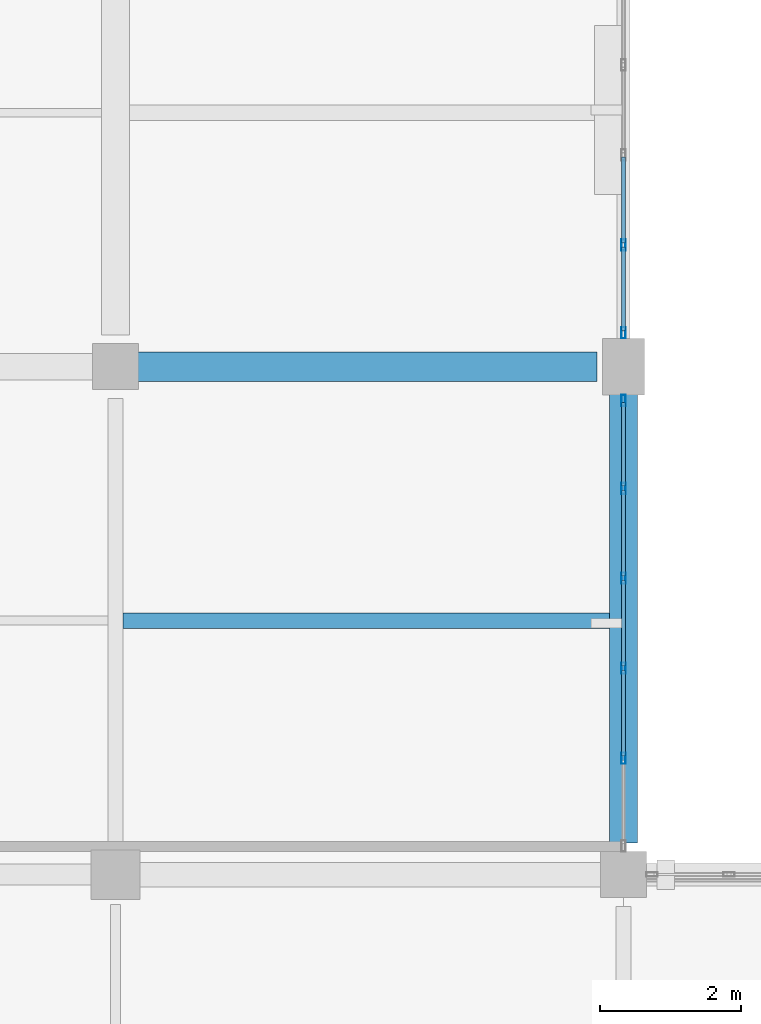
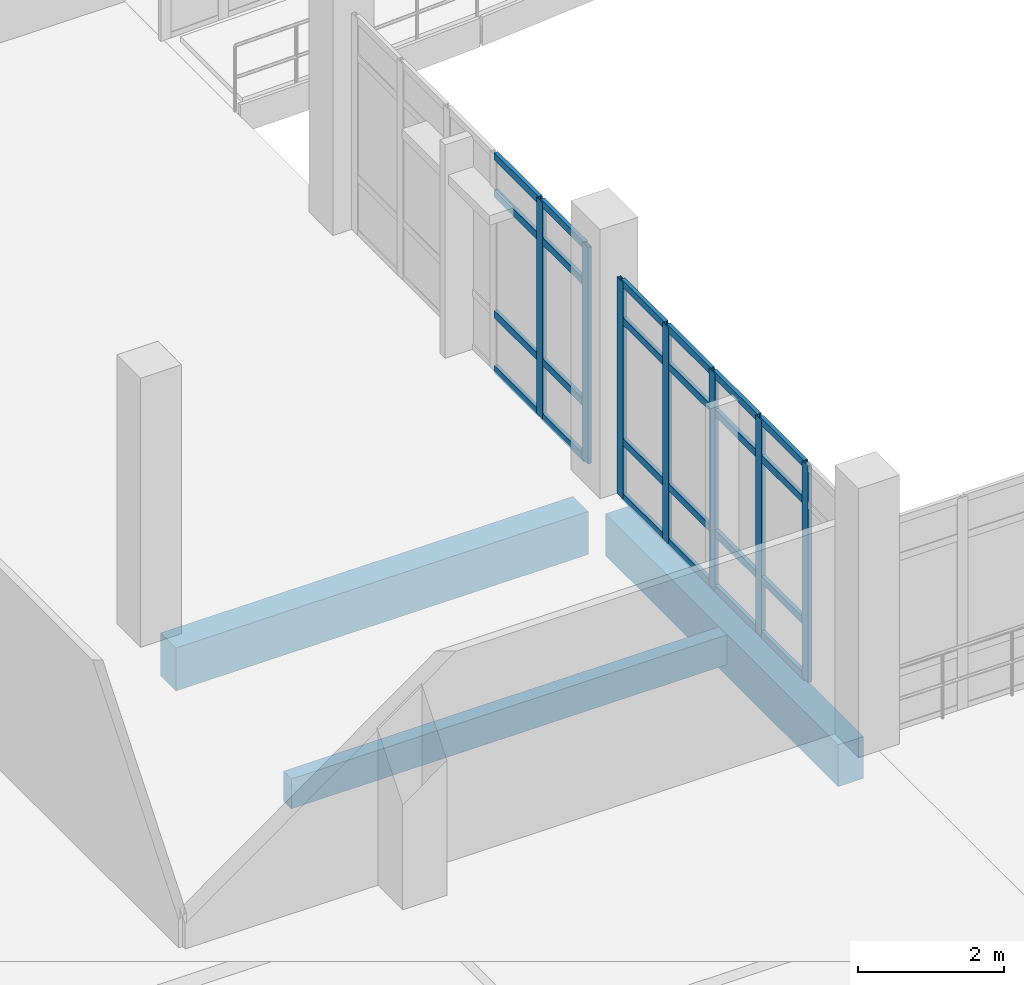
# One storey, part 18 of 124: 31 members, 3 beams, 2 elements without a shape of their own.
"""IFC4 building model written with IfcOpenShell, lengths in metres."""

import ifcopenshell
import ifcopenshell.guid

model = None  # the IFC model being written
_history = None  # IfcOwnerHistory: only IFC2X3 demands one
_inside = {}  # id of a spatial element -> (the spatial element, [elements in it])
_under = {}  # id of a project, library or spatial element -> (it, [spatial elements below it])
_declared = {}  # id of a project -> (the project, [libraries it declares])
_typed = {}  # id of a type object -> (the type object, [elements of that type])
_made_of = {}  # id of a material, layer set ... -> (it, [elements and type objects made of it])


def new_model(schema):
    """Start an empty IFC model of exactly this schema.

    Asked for "IFC4X3", IfcOpenShell would pick the latest addendum, in which some entities
    have other attributes; the version numbers below select the first issue.
    IFC2X3 requires an IfcOwnerHistory on every rooted entity: one is made here for all.
    """
    global model, _history
    if schema == "IFC4X3":
        model = ifcopenshell.file(schema_version=(4, 3, 0, 0))
    else:
        model = ifcopenshell.file(schema=schema)
    _inside.clear()
    _under.clear()
    _declared.clear()
    _typed.clear()
    _made_of.clear()
    _history = None
    if model.schema == "IFC2X3":
        org = make("IfcOrganization", Name="unknown")
        user = make(
            "IfcPersonAndOrganization",
            ThePerson=make("IfcPerson", FamilyName="unknown"),
            TheOrganization=org,
        )
        app = make(
            "IfcApplication",
            ApplicationDeveloper=org,
            Version="unknown",
            ApplicationFullName="unknown",
            ApplicationIdentifier="unknown",
        )
        _history = make(
            "IfcOwnerHistory",
            OwningUser=user,
            OwningApplication=app,
            ChangeAction="ADDED",
            CreationDate=0,
        )
    return model


def make(cls, **values):
    """One entity of the class cls with the attributes given. An attribute that is None is left unset."""
    return model.create_entity(
        cls, **{name: value for name, value in values.items() if value is not None}
    )


def rooted(cls, **values):
    """An entity with a GlobalId (a new one), such as an element, a storey or a relation."""
    return make(cls, GlobalId=ifcopenshell.guid.new(), OwnerHistory=_history, **values)


def si_unit(unit_type, name, prefix=None):
    """IfcSIUnit, for example si_unit("LENGTHUNIT", "METRE", prefix="MILLI")."""
    return make("IfcSIUnit", UnitType=unit_type, Prefix=prefix, Name=name)


def assignment(units):
    """IfcUnitAssignment: the units of a project."""
    return None if units is None else make("IfcUnitAssignment", Units=units)


def point(xyz):
    """IfcCartesianPoint."""
    return None if xyz is None else make("IfcCartesianPoint", Coordinates=xyz)


def direction(xyz):
    """IfcDirection."""
    return None if xyz is None else make("IfcDirection", DirectionRatios=xyz)


def frame(location, z_axis=None, x_axis=None):
    """IfcAxis2Placement3D, a coordinate frame: its origin and axes. An axis left out is left unset."""
    return make(
        "IfcAxis2Placement3D",
        Location=point(location),
        Axis=direction(z_axis),
        RefDirection=direction(x_axis),
    )


def frame_2d(location, x_axis=None):
    """IfcAxis2Placement2D, a coordinate frame in the plane: its origin and x axis."""
    return make(
        "IfcAxis2Placement2D", Location=point(location), RefDirection=direction(x_axis)
    )


def origin():
    """The frame at (0, 0, 0) with its axes left unset."""
    return frame((0.0, 0.0, 0.0))


def origin_2d():
    """The frame at (0, 0) in the plane with its x axis left unset."""
    return frame_2d((0.0, 0.0))


def place(relative_to, where):
    """IfcLocalPlacement: puts the frame where relative to a parent placement (None: the world)."""
    return make(
        "IfcLocalPlacement", PlacementRelTo=relative_to, RelativePlacement=where
    )


def context(
    kind, dimensions, precision=None, world=None, true_north=None, identifier=None
):
    """IfcGeometricRepresentationContext, for example the 3D "Model" context."""
    return make(
        "IfcGeometricRepresentationContext",
        ContextIdentifier=identifier,
        ContextType=kind,
        CoordinateSpaceDimension=dimensions,
        Precision=precision,
        WorldCoordinateSystem=world,
        TrueNorth=true_north,
    )


def subcontext(parent, identifier, kind, view, scale=None):
    """IfcGeometricRepresentationSubContext, for example "Body" below "Model"."""
    return make(
        "IfcGeometricRepresentationSubContext",
        ContextIdentifier=identifier,
        ContextType=kind,
        ParentContext=parent,
        TargetScale=scale,
        TargetView=view,
    )


def project(units=None, contexts=None):
    """IfcProject with its units and contexts."""
    return rooted(
        "IfcProject",
        Name="project",
        RepresentationContexts=contexts,
        UnitsInContext=assignment(units),
    )


def spatial(cls, under=None, at=None, **own):
    """A site, building, storey or space (cls), placed at a placement, below another one or the project."""
    s = rooted(cls, ObjectPlacement=at, **own)
    if under is not None:
        _under.setdefault(under.id(), (under, []))[1].append(s)
    return s


def profile(cls, at=None, kind="AREA", **sizes):
    """A parametric profile (cls). Its sizes go by their IFC names, for example OverallWidth=200.0."""
    return make(cls, ProfileType=kind, Position=at, **sizes)


def rectangle(**sizes):
    """IfcRectangleProfileDef."""
    return profile("IfcRectangleProfileDef", **sizes)


def hollow_rectangle(**sizes):
    """IfcRectangleHollowProfileDef."""
    return profile("IfcRectangleHollowProfileDef", **sizes)


def extrude(swept, where, along, depth):
    """IfcExtrudedAreaSolid: the profile swept, set in the frame where, extruded along a direction by depth."""
    return make(
        "IfcExtrudedAreaSolid",
        SweptArea=swept,
        Position=where,
        ExtrudedDirection=direction(along),
        Depth=depth,
    )


def shape(context_of_items, identifier, shape_type, items):
    """IfcShapeRepresentation: the items that make up one representation, for example the "Body"."""
    return make(
        "IfcShapeRepresentation",
        ContextOfItems=context_of_items,
        RepresentationIdentifier=identifier,
        RepresentationType=shape_type,
        Items=items,
    )


def material(Name=None, Category=None):
    """IfcMaterial."""
    return make("IfcMaterial", Name=Name, Category=Category)


def material_profile(
    of_material, cross_section, Name=None, Category=None, Priority=None
):
    """IfcMaterialProfile: a cross section and its material."""
    return make(
        "IfcMaterialProfile",
        Name=Name,
        Material=of_material,
        Profile=cross_section,
        Priority=Priority,
        Category=Category,
    )


def profile_set(profiles, Name=None, composite=None):
    """IfcMaterialProfileSet."""
    return make(
        "IfcMaterialProfileSet",
        Name=Name,
        MaterialProfiles=profiles,
        CompositeProfile=composite,
    )


def made_of(thing, what):
    """Note that an element or type object is made of a material, layer set ...; save() writes the relation."""
    if what is not None:
        _made_of.setdefault(what.id(), (what, []))[1].append(thing)
    return thing


def type_object(cls, material=None, **own):
    """A type object (cls), such as IfcWallType, which elements share."""
    return made_of(rooted(cls, **own), material)


def element(
    cls,
    number,
    at=None,
    inside=None,
    cuts=None,
    type_object=None,
    material=None,
    context=None,
    identifier="Body",
    shape_type=None,
    held_by="IfcProductDefinitionShape",
    body=None,
    shapes=None,
    **own,
):
    """One element of the class cls, such as IfcWall. Its Tag is "e" and its number.

    at: its placement. inside: the storey or other place that contains it. cuts: it is an
    opening in that element (IfcRelVoidsElement). A single representation is given by context,
    identifier, shape_type and body (its items); several are given by shapes. held_by: the class
    of the entity that holds the representations. save() writes the other relations.
    """
    e = rooted(cls, Tag="e%d" % number, ObjectPlacement=at, **own)
    if body is not None:
        shapes = [shape(context, identifier, shape_type, body)]
    if shapes is not None:
        e.Representation = make(held_by, Representations=shapes)
    if inside is not None:
        _inside.setdefault(inside.id(), (inside, []))[1].append(e)
    if cuts is not None:
        rooted(
            "IfcRelVoidsElement", RelatingBuildingElement=cuts, RelatedOpeningElement=e
        )
    if type_object is not None:
        _typed.setdefault(type_object.id(), (type_object, []))[1].append(e)
    return made_of(e, material)


def aggregate(whole, parts):
    """IfcRelAggregates: a whole, such as a stair, and the parts it consists of."""
    return rooted("IfcRelAggregates", RelatingObject=whole, RelatedObjects=parts)


def save(model, path):
    """Write the relations noted so far, then the file.

    IfcRelAggregates (storeys below a building ...), IfcRelContainedInSpatialStructure (elements
    in a storey), IfcRelDefinesByType, IfcRelAssociatesMaterial and IfcRelDeclares: one each for
    every whole, place, type object, material and project.
    """
    for whole, parts in _under.values():
        aggregate(whole, parts)
    for where, things in _inside.values():
        rooted(
            "IfcRelContainedInSpatialStructure",
            RelatedElements=things,
            RelatingStructure=where,
        )
    for kind, things in _typed.values():
        rooted("IfcRelDefinesByType", RelatedObjects=things, RelatingType=kind)
    for what, things in _made_of.values():
        rooted("IfcRelAssociatesMaterial", RelatedObjects=things, RelatingMaterial=what)
    for by, libraries in _declared.values():
        rooted("IfcRelDeclares", RelatingContext=by, RelatedDefinitions=libraries)
    model.write(path)


model = new_model("IFC4")

# Units and contexts
model_context = context("Model", 3, precision=1e-05, world=origin(), true_north=direction((0.0, 1.0)))
body_context = subcontext(model_context, "Body", "Model", "MODEL_VIEW")
ifc_project = project(units=[si_unit("LENGTHUNIT", "METRE"), si_unit("AREAUNIT", "SQUARE_METRE"), si_unit("VOLUMEUNIT", "CUBIC_METRE"), si_unit("PLANEANGLEUNIT", "RADIAN"), si_unit("MASSUNIT", "GRAM", prefix="KILO")], contexts=[model_context])

# Site, building, storey
site_placement = place(None, origin())
site = spatial("IfcSite", under=ifc_project, at=site_placement, CompositionType="ELEMENT")
building_placement = place(site_placement, origin())
building = spatial("IfcBuilding", under=site, at=building_placement, Name="Kalluvel Institute of Natural Sciences", CompositionType="ELEMENT")
storey_placement = place(building_placement, frame((0.0, 0.0, 9.89990234375)))
storey = spatial("IfcBuildingStorey", under=building, at=storey_placement, Name="L02", CompositionType="ELEMENT", Elevation=9.89990234375)

# Beams
ifc_material_1 = material(Name="Concrete M40", Category="concrete")
ifc_material_profile_1 = material_profile(ifc_material_1, rectangle(XDim=0.39990234375, YDim=0.699951171875, at=origin_2d()), Name="RCB 400x700")
ifc_profile_set_1 = profile_set([ifc_material_profile_1], Name="Concrete M40")
beam_type_1 = type_object("IfcBeamType", Name="BM-RC400x700", PredefinedType="BEAM", material=ifc_profile_set_1)
beam_1_placement = place(storey_placement, frame((35.60009765625, 36.050048828125, -0.64990234375), z_axis=(0.0, 1.0, 0.0), x_axis=(-1.0, 0.0, 0.0)))
element("IfcBeam", 1, at=beam_1_placement, inside=storey, type_object=beam_type_1, Name="L02 girder GIR-L02-NS-X356-Y356", PredefinedType="BEAM", context=body_context, shape_type="SweptSolid", body=[
    extrude(rectangle(XDim=0.39990234375, YDim=0.699951171875, at=origin_2d()), origin(), (0.0, 0.0, 1.0), 6.375),
])
ifc_material_profile_2 = material_profile(ifc_material_1, rectangle(XDim=0.419921875, YDim=0.719970703125, at=origin_2d()), Name="RCB 420x720")
ifc_profile_set_2 = profile_set([ifc_material_profile_2], Name="Concrete M40")
beam_type_2 = type_object("IfcBeamType", Name="BM-RC420x720", PredefinedType="BEAM", material=ifc_profile_set_2)
beam_2_placement = place(storey_placement, frame((28.699951171875, 42.800048828125, -0.659912109375), z_axis=(1.0, 0.0, 0.0), x_axis=(0.0, 1.0, 0.0)))
element("IfcBeam", 2, at=beam_2_placement, inside=storey, type_object=beam_type_2, Name="L02 girder GIR-L02-EW-X284-Y428", PredefinedType="BEAM", context=body_context, shape_type="SweptSolid", body=[
    extrude(rectangle(XDim=0.419921875, YDim=0.719970703125, at=origin_2d()), origin(), (0.0, 0.0, 1.0), 6.525146484375),
])

# Curtain wall, members
ifc_material_2 = material(Name="Aluminium AW-6063 T6", Category="aluminium")
curtain_wall_type = type_object("IfcCurtainWallType", Name="CW-DRY-45", PredefinedType="USERDEFINED", material=ifc_material_2)
curtain_wall_1_placement = place(storey_placement, origin())
curtain_wall_1 = element("IfcCurtainWall", 3, at=curtain_wall_1_placement, inside=storey, type_object=curtain_wall_type, Name="L02 Gothic lancet curtain wall CWA-L02-X356-Y360", ObjectType="UNITISED LANCET FACADE", PredefinedType="USERDEFINED")
ifc_material_profile_3 = material_profile(ifc_material_2, hollow_rectangle(XDim=0.06005859375, YDim=0.159912109375, WallThickness=0.00390625, at=origin_2d()), Name="CWM 60x160")
ifc_profile_set_3 = profile_set([ifc_material_profile_3], Name="Aluminium AW-6063 T6")
member_type_1 = type_object("IfcMemberType", Name="CWM-60x160", PredefinedType="MULLION", material=ifc_profile_set_3)
member_1_placement = place(storey_placement, frame((35.60009765625, 37.25, 0.0), z_axis=(0.0, 0.0, 1.0), x_axis=(-1.0, 0.0, 0.0)))
member_1 = element("IfcMember", 4, at=member_1_placement, type_object=member_type_1, Name="CW-03 mullion 2", PredefinedType="MULLION", context=body_context, shape_type="SweptSolid", body=[
    extrude(hollow_rectangle(XDim=0.06005859375, YDim=0.159912109375, WallThickness=0.00390625, at=origin_2d()), origin(), (0.0, 0.0, 1.0), 3.6201171875),
])
member_2_placement = place(storey_placement, frame((35.60009765625, 38.52490234375, 0.0), z_axis=(0.0, 0.0, 1.0), x_axis=(-1.0, 0.0, 0.0)))
member_2 = element("IfcMember", 5, at=member_2_placement, type_object=member_type_1, Name="CW-03 mullion 3", PredefinedType="MULLION", context=body_context, shape_type="SweptSolid", body=[
    extrude(hollow_rectangle(XDim=0.06005859375, YDim=0.159912109375, WallThickness=0.00390625, at=origin_2d()), origin(), (0.0, 0.0, 1.0), 3.6201171875),
])
member_3_placement = place(storey_placement, frame((35.60009765625, 39.800048828125, 0.0), z_axis=(0.0, 0.0, 1.0), x_axis=(-1.0, 0.0, 0.0)))
member_3 = element("IfcMember", 6, at=member_3_placement, type_object=member_type_1, Name="CW-03 mullion 4", PredefinedType="MULLION", context=body_context, shape_type="SweptSolid", body=[
    extrude(hollow_rectangle(XDim=0.06005859375, YDim=0.159912109375, WallThickness=0.00390625, at=origin_2d()), origin(), (0.0, 0.0, 1.0), 3.6201171875),
])
member_4_placement = place(storey_placement, frame((35.60009765625, 41.074951171875, 0.0), z_axis=(0.0, 0.0, 1.0), x_axis=(-1.0, 0.0, 0.0)))
member_4 = element("IfcMember", 7, at=member_4_placement, type_object=member_type_1, Name="CW-03 mullion 5", PredefinedType="MULLION", context=body_context, shape_type="SweptSolid", body=[
    extrude(hollow_rectangle(XDim=0.06005859375, YDim=0.159912109375, WallThickness=0.00390625, at=origin_2d()), origin(), (0.0, 0.0, 1.0), 3.6201171875),
])
member_5_placement = place(storey_placement, frame((35.60009765625, 42.320068359375, 0.0), z_axis=(0.0, 0.0, 1.0), x_axis=(-1.0, 0.0, 0.0)))
member_5 = element("IfcMember", 8, at=member_5_placement, type_object=member_type_1, Name="CW-03 mullion 6", PredefinedType="MULLION", context=body_context, shape_type="SweptSolid", body=[
    extrude(hollow_rectangle(XDim=0.06005859375, YDim=0.159912109375, WallThickness=0.00390625, at=origin_2d()), origin(), (0.0, 0.0, 1.0), 3.6201171875),
])

curtain_wall_2_placement = place(storey_placement, origin())
curtain_wall_2 = element("IfcCurtainWall", 9, at=curtain_wall_2_placement, inside=storey, type_object=curtain_wall_type, Name="L02 Gothic lancet curtain wall CWA-L02-X356-Y432", ObjectType="UNITISED LANCET FACADE", PredefinedType="USERDEFINED")
member_6_placement = place(storey_placement, frame((35.60009765625, 43.280029296875, 0.0), z_axis=(0.0, 0.0, 1.0), x_axis=(-1.0, 0.0, 0.0)))
member_6 = element("IfcMember", 10, at=member_6_placement, type_object=member_type_1, Name="CW-03 mullion 1", PredefinedType="MULLION", context=body_context, shape_type="SweptSolid", body=[
    extrude(hollow_rectangle(XDim=0.06005859375, YDim=0.159912109375, WallThickness=0.00390625, at=origin_2d()), origin(), (0.0, 0.0, 1.0), 3.6201171875),
])
member_7_placement = place(storey_placement, frame((35.60009765625, 44.52490234375, 0.0), z_axis=(0.0, 0.0, 1.0), x_axis=(-1.0, 0.0, 0.0)))
member_7 = element("IfcMember", 11, at=member_7_placement, type_object=member_type_1, Name="CW-03 mullion 2", PredefinedType="MULLION", context=body_context, shape_type="SweptSolid", body=[
    extrude(hollow_rectangle(XDim=0.06005859375, YDim=0.159912109375, WallThickness=0.00390625, at=origin_2d()), origin(), (0.0, 0.0, 1.0), 3.6201171875),
])

# Member
ifc_material_profile_4 = material_profile(ifc_material_2, hollow_rectangle(XDim=0.06005859375, YDim=0.1201171875, WallThickness=0.00390625, at=origin_2d()), Name="CWT 60x120")
ifc_profile_set_4 = profile_set([ifc_material_profile_4], Name="Aluminium AW-6063 T6")
member_type_2 = type_object("IfcMemberType", Name="CWT-60x120", PredefinedType="USERDEFINED", material=ifc_profile_set_4)
member_8_placement = place(storey_placement, frame((35.60009765625, 37.280029296875, 0.030029296875), z_axis=(0.0, 1.0, 0.0), x_axis=(-1.0, 0.0, 0.0)))
member_8 = element("IfcMember", 12, at=member_8_placement, type_object=member_type_2, Name="CW-03 transom 2.1", ObjectType="TRANSOM", PredefinedType="USERDEFINED", context=body_context, shape_type="SweptSolid", body=[
    extrude(hollow_rectangle(XDim=0.06005859375, YDim=0.1201171875, WallThickness=0.00390625, at=origin_2d()), origin(), (0.0, 0.0, 1.0), 1.215087890625),
])

member_9_placement = place(storey_placement, frame((35.60009765625, 37.280029296875, 0.9501953125), z_axis=(0.0, 1.0, 0.0), x_axis=(-1.0, 0.0, 0.0)))
member_9 = element("IfcMember", 13, at=member_9_placement, type_object=member_type_2, Name="CW-03 transom 2.2", ObjectType="TRANSOM", PredefinedType="USERDEFINED", context=body_context, shape_type="SweptSolid", body=[
    extrude(hollow_rectangle(XDim=0.06005859375, YDim=0.1201171875, WallThickness=0.00390625, at=origin_2d()), origin(), (0.0, 0.0, 1.0), 1.215087890625),
])

member_10_placement = place(storey_placement, frame((35.60009765625, 37.280029296875, 2.97021484375), z_axis=(0.0, 1.0, 0.0), x_axis=(-1.0, 0.0, 0.0)))
member_10 = element("IfcMember", 14, at=member_10_placement, type_object=member_type_2, Name="CW-03 transom 2.3", ObjectType="TRANSOM", PredefinedType="USERDEFINED", context=body_context, shape_type="SweptSolid", body=[
    extrude(hollow_rectangle(XDim=0.06005859375, YDim=0.1201171875, WallThickness=0.00390625, at=origin_2d()), origin(), (0.0, 0.0, 1.0), 1.215087890625),
])

member_11_placement = place(storey_placement, frame((35.60009765625, 37.280029296875, 3.590087890625), z_axis=(0.0, 1.0, 0.0), x_axis=(-1.0, 0.0, 0.0)))
member_11 = element("IfcMember", 15, at=member_11_placement, type_object=member_type_2, Name="CW-03 transom 2.4", ObjectType="TRANSOM", PredefinedType="USERDEFINED", context=body_context, shape_type="SweptSolid", body=[
    extrude(hollow_rectangle(XDim=0.06005859375, YDim=0.1201171875, WallThickness=0.00390625, at=origin_2d()), origin(), (0.0, 0.0, 1.0), 1.215087890625),
])

member_12_placement = place(storey_placement, frame((35.60009765625, 38.554931640625, 0.030029296875), z_axis=(0.0, 1.0, 0.0), x_axis=(-1.0, 0.0, 0.0)))
member_12 = element("IfcMember", 16, at=member_12_placement, type_object=member_type_2, Name="CW-03 transom 3.1", ObjectType="TRANSOM", PredefinedType="USERDEFINED", context=body_context, shape_type="SweptSolid", body=[
    extrude(hollow_rectangle(XDim=0.06005859375, YDim=0.1201171875, WallThickness=0.00390625, at=origin_2d()), origin(), (0.0, 0.0, 1.0), 1.215087890625),
])

member_13_placement = place(storey_placement, frame((35.60009765625, 38.554931640625, 0.9501953125), z_axis=(0.0, 1.0, 0.0), x_axis=(-1.0, 0.0, 0.0)))
member_13 = element("IfcMember", 17, at=member_13_placement, type_object=member_type_2, Name="CW-03 transom 3.2", ObjectType="TRANSOM", PredefinedType="USERDEFINED", context=body_context, shape_type="SweptSolid", body=[
    extrude(hollow_rectangle(XDim=0.06005859375, YDim=0.1201171875, WallThickness=0.00390625, at=origin_2d()), origin(), (0.0, 0.0, 1.0), 1.215087890625),
])

member_14_placement = place(storey_placement, frame((35.60009765625, 38.554931640625, 2.97021484375), z_axis=(0.0, 1.0, 0.0), x_axis=(-1.0, 0.0, 0.0)))
member_14 = element("IfcMember", 18, at=member_14_placement, type_object=member_type_2, Name="CW-03 transom 3.3", ObjectType="TRANSOM", PredefinedType="USERDEFINED", context=body_context, shape_type="SweptSolid", body=[
    extrude(hollow_rectangle(XDim=0.06005859375, YDim=0.1201171875, WallThickness=0.00390625, at=origin_2d()), origin(), (0.0, 0.0, 1.0), 1.215087890625),
])

member_15_placement = place(storey_placement, frame((35.60009765625, 38.554931640625, 3.590087890625), z_axis=(0.0, 1.0, 0.0), x_axis=(-1.0, 0.0, 0.0)))
member_15 = element("IfcMember", 19, at=member_15_placement, type_object=member_type_2, Name="CW-03 transom 3.4", ObjectType="TRANSOM", PredefinedType="USERDEFINED", context=body_context, shape_type="SweptSolid", body=[
    extrude(hollow_rectangle(XDim=0.06005859375, YDim=0.1201171875, WallThickness=0.00390625, at=origin_2d()), origin(), (0.0, 0.0, 1.0), 1.215087890625),
])

member_16_placement = place(storey_placement, frame((35.60009765625, 39.830078125, 0.030029296875), z_axis=(0.0, 1.0, 0.0), x_axis=(-1.0, 0.0, 0.0)))
member_16 = element("IfcMember", 20, at=member_16_placement, type_object=member_type_2, Name="CW-03 transom 4.1", ObjectType="TRANSOM", PredefinedType="USERDEFINED", context=body_context, shape_type="SweptSolid", body=[
    extrude(hollow_rectangle(XDim=0.06005859375, YDim=0.1201171875, WallThickness=0.00390625, at=origin_2d()), origin(), (0.0, 0.0, 1.0), 1.21484375),
])

member_17_placement = place(storey_placement, frame((35.60009765625, 39.830078125, 0.9501953125), z_axis=(0.0, 1.0, 0.0), x_axis=(-1.0, 0.0, 0.0)))
member_17 = element("IfcMember", 21, at=member_17_placement, type_object=member_type_2, Name="CW-03 transom 4.2", ObjectType="TRANSOM", PredefinedType="USERDEFINED", context=body_context, shape_type="SweptSolid", body=[
    extrude(hollow_rectangle(XDim=0.06005859375, YDim=0.1201171875, WallThickness=0.00390625, at=origin_2d()), origin(), (0.0, 0.0, 1.0), 1.21484375),
])

member_18_placement = place(storey_placement, frame((35.60009765625, 39.830078125, 2.97021484375), z_axis=(0.0, 1.0, 0.0), x_axis=(-1.0, 0.0, 0.0)))
member_18 = element("IfcMember", 22, at=member_18_placement, type_object=member_type_2, Name="CW-03 transom 4.3", ObjectType="TRANSOM", PredefinedType="USERDEFINED", context=body_context, shape_type="SweptSolid", body=[
    extrude(hollow_rectangle(XDim=0.06005859375, YDim=0.1201171875, WallThickness=0.00390625, at=origin_2d()), origin(), (0.0, 0.0, 1.0), 1.21484375),
])

member_19_placement = place(storey_placement, frame((35.60009765625, 39.830078125, 3.590087890625), z_axis=(0.0, 1.0, 0.0), x_axis=(-1.0, 0.0, 0.0)))
member_19 = element("IfcMember", 23, at=member_19_placement, type_object=member_type_2, Name="CW-03 transom 4.4", ObjectType="TRANSOM", PredefinedType="USERDEFINED", context=body_context, shape_type="SweptSolid", body=[
    extrude(hollow_rectangle(XDim=0.06005859375, YDim=0.1201171875, WallThickness=0.00390625, at=origin_2d()), origin(), (0.0, 0.0, 1.0), 1.21484375),
])

member_20_placement = place(storey_placement, frame((35.60009765625, 41.10498046875, 0.030029296875), z_axis=(0.0, 1.0, 0.0), x_axis=(-1.0, 0.0, 0.0)))
member_20 = element("IfcMember", 24, at=member_20_placement, type_object=member_type_2, Name="CW-03 transom 5.1", ObjectType="TRANSOM", PredefinedType="USERDEFINED", context=body_context, shape_type="SweptSolid", body=[
    extrude(hollow_rectangle(XDim=0.06005859375, YDim=0.1201171875, WallThickness=0.00390625, at=origin_2d()), origin(), (0.0, 0.0, 1.0), 1.18505859375),
])

member_21_placement = place(storey_placement, frame((35.60009765625, 41.10498046875, 0.9501953125), z_axis=(0.0, 1.0, 0.0), x_axis=(-1.0, 0.0, 0.0)))
member_21 = element("IfcMember", 25, at=member_21_placement, type_object=member_type_2, Name="CW-03 transom 5.2", ObjectType="TRANSOM", PredefinedType="USERDEFINED", context=body_context, shape_type="SweptSolid", body=[
    extrude(hollow_rectangle(XDim=0.06005859375, YDim=0.1201171875, WallThickness=0.00390625, at=origin_2d()), origin(), (0.0, 0.0, 1.0), 1.18505859375),
])

member_22_placement = place(storey_placement, frame((35.60009765625, 41.10498046875, 2.97021484375), z_axis=(0.0, 1.0, 0.0), x_axis=(-1.0, 0.0, 0.0)))
member_22 = element("IfcMember", 26, at=member_22_placement, type_object=member_type_2, Name="CW-03 transom 5.3", ObjectType="TRANSOM", PredefinedType="USERDEFINED", context=body_context, shape_type="SweptSolid", body=[
    extrude(hollow_rectangle(XDim=0.06005859375, YDim=0.1201171875, WallThickness=0.00390625, at=origin_2d()), origin(), (0.0, 0.0, 1.0), 1.18505859375),
])

member_23_placement = place(storey_placement, frame((35.60009765625, 41.10498046875, 3.590087890625), z_axis=(0.0, 1.0, 0.0), x_axis=(-1.0, 0.0, 0.0)))
member_23 = element("IfcMember", 27, at=member_23_placement, type_object=member_type_2, Name="CW-03 transom 5.4", ObjectType="TRANSOM", PredefinedType="USERDEFINED", context=body_context, shape_type="SweptSolid", body=[
    extrude(hollow_rectangle(XDim=0.06005859375, YDim=0.1201171875, WallThickness=0.00390625, at=origin_2d()), origin(), (0.0, 0.0, 1.0), 1.18505859375),
])

aggregate(curtain_wall_1, [member_1, member_2, member_3, member_4, member_5, member_8, member_9, member_10, member_11, member_12, member_13, member_14, member_15, member_16, member_17, member_18, member_19, member_20, member_21, member_22, member_23])

member_24_placement = place(storey_placement, frame((35.60009765625, 43.31005859375, 0.030029296875), z_axis=(0.0, 1.0, 0.0), x_axis=(-1.0, 0.0, 0.0)))
member_24 = element("IfcMember", 28, at=member_24_placement, type_object=member_type_2, Name="CW-03 transom 1.1", ObjectType="TRANSOM", PredefinedType="USERDEFINED", context=body_context, shape_type="SweptSolid", body=[
    extrude(hollow_rectangle(XDim=0.06005859375, YDim=0.1201171875, WallThickness=0.00390625, at=origin_2d()), origin(), (0.0, 0.0, 1.0), 1.18505859375),
])

member_25_placement = place(storey_placement, frame((35.60009765625, 43.31005859375, 0.9501953125), z_axis=(0.0, 1.0, 0.0), x_axis=(-1.0, 0.0, 0.0)))
member_25 = element("IfcMember", 29, at=member_25_placement, type_object=member_type_2, Name="CW-03 transom 1.2", ObjectType="TRANSOM", PredefinedType="USERDEFINED", context=body_context, shape_type="SweptSolid", body=[
    extrude(hollow_rectangle(XDim=0.06005859375, YDim=0.1201171875, WallThickness=0.00390625, at=origin_2d()), origin(), (0.0, 0.0, 1.0), 1.18505859375),
])

member_26_placement = place(storey_placement, frame((35.60009765625, 43.31005859375, 2.97021484375), z_axis=(0.0, 1.0, 0.0), x_axis=(-1.0, 0.0, 0.0)))
member_26 = element("IfcMember", 30, at=member_26_placement, type_object=member_type_2, Name="CW-03 transom 1.3", ObjectType="TRANSOM", PredefinedType="USERDEFINED", context=body_context, shape_type="SweptSolid", body=[
    extrude(hollow_rectangle(XDim=0.06005859375, YDim=0.1201171875, WallThickness=0.00390625, at=origin_2d()), origin(), (0.0, 0.0, 1.0), 1.18505859375),
])

member_27_placement = place(storey_placement, frame((35.60009765625, 43.31005859375, 3.590087890625), z_axis=(0.0, 1.0, 0.0), x_axis=(-1.0, 0.0, 0.0)))
member_27 = element("IfcMember", 31, at=member_27_placement, type_object=member_type_2, Name="CW-03 transom 1.4", ObjectType="TRANSOM", PredefinedType="USERDEFINED", context=body_context, shape_type="SweptSolid", body=[
    extrude(hollow_rectangle(XDim=0.06005859375, YDim=0.1201171875, WallThickness=0.00390625, at=origin_2d()), origin(), (0.0, 0.0, 1.0), 1.18505859375),
])

member_28_placement = place(storey_placement, frame((35.60009765625, 44.554931640625, 0.030029296875), z_axis=(0.0, 1.0, 0.0), x_axis=(-1.0, 0.0, 0.0)))
member_28 = element("IfcMember", 32, at=member_28_placement, type_object=member_type_2, Name="CW-03 transom 2.1", ObjectType="TRANSOM", PredefinedType="USERDEFINED", context=body_context, shape_type="SweptSolid", body=[
    extrude(hollow_rectangle(XDim=0.06005859375, YDim=0.1201171875, WallThickness=0.00390625, at=origin_2d()), origin(), (0.0, 0.0, 1.0), 1.215087890625),
])

member_29_placement = place(storey_placement, frame((35.60009765625, 44.554931640625, 0.9501953125), z_axis=(0.0, 1.0, 0.0), x_axis=(-1.0, 0.0, 0.0)))
member_29 = element("IfcMember", 33, at=member_29_placement, type_object=member_type_2, Name="CW-03 transom 2.2", ObjectType="TRANSOM", PredefinedType="USERDEFINED", context=body_context, shape_type="SweptSolid", body=[
    extrude(hollow_rectangle(XDim=0.06005859375, YDim=0.1201171875, WallThickness=0.00390625, at=origin_2d()), origin(), (0.0, 0.0, 1.0), 1.215087890625),
])

member_30_placement = place(storey_placement, frame((35.60009765625, 44.554931640625, 2.97021484375), z_axis=(0.0, 1.0, 0.0), x_axis=(-1.0, 0.0, 0.0)))
member_30 = element("IfcMember", 34, at=member_30_placement, type_object=member_type_2, Name="CW-03 transom 2.3", ObjectType="TRANSOM", PredefinedType="USERDEFINED", context=body_context, shape_type="SweptSolid", body=[
    extrude(hollow_rectangle(XDim=0.06005859375, YDim=0.1201171875, WallThickness=0.00390625, at=origin_2d()), origin(), (0.0, 0.0, 1.0), 1.215087890625),
])

member_31_placement = place(storey_placement, frame((35.60009765625, 44.554931640625, 3.590087890625), z_axis=(0.0, 1.0, 0.0), x_axis=(-1.0, 0.0, 0.0)))
member_31 = element("IfcMember", 35, at=member_31_placement, type_object=member_type_2, Name="CW-03 transom 2.4", ObjectType="TRANSOM", PredefinedType="USERDEFINED", context=body_context, shape_type="SweptSolid", body=[
    extrude(hollow_rectangle(XDim=0.06005859375, YDim=0.1201171875, WallThickness=0.00390625, at=origin_2d()), origin(), (0.0, 0.0, 1.0), 1.215087890625),
])

aggregate(curtain_wall_2, [member_6, member_7, member_24, member_25, member_26, member_27, member_28, member_29, member_30, member_31])

# Beam
ifc_material_profile_5 = material_profile(ifc_material_1, rectangle(XDim=0.219970703125, YDim=0.5, at=origin_2d()), Name="WAF 220x500")
ifc_profile_set_5 = profile_set([ifc_material_profile_5], Name="Concrete M40")
beam_type_3 = type_object("IfcBeamType", Name="WJ-220x500", PredefinedType="JOIST", material=ifc_profile_set_5)
beam_3_placement = place(storey_placement, frame((28.5048828125, 39.199951171875, -0.5498046875), z_axis=(1.0, 0.0, 0.0), x_axis=(0.0, 1.0, 0.0)))
element("IfcBeam", 36, at=beam_3_placement, inside=storey, type_object=beam_type_3, Name="L02 floor rib RIB-L02-0663", PredefinedType="JOIST", context=body_context, shape_type="SweptSolid", body=[
    extrude(rectangle(XDim=0.219970703125, YDim=0.5, at=origin_2d()), origin(), (0.0, 0.0, 1.0), 6.89501953125),
])

save(model, "model.ifc")
